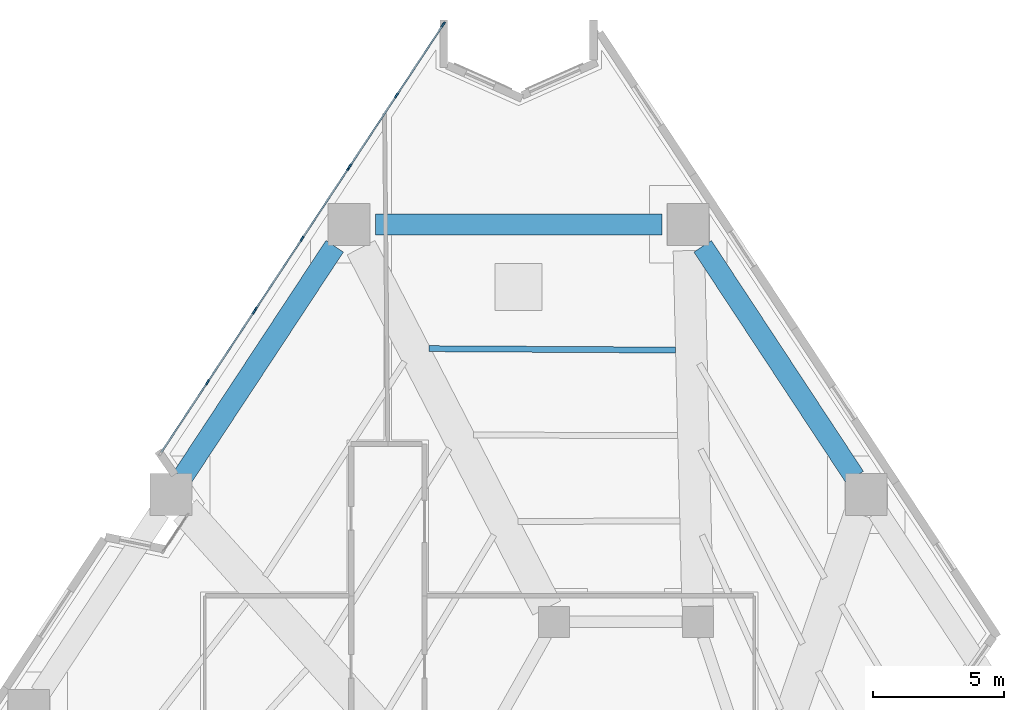
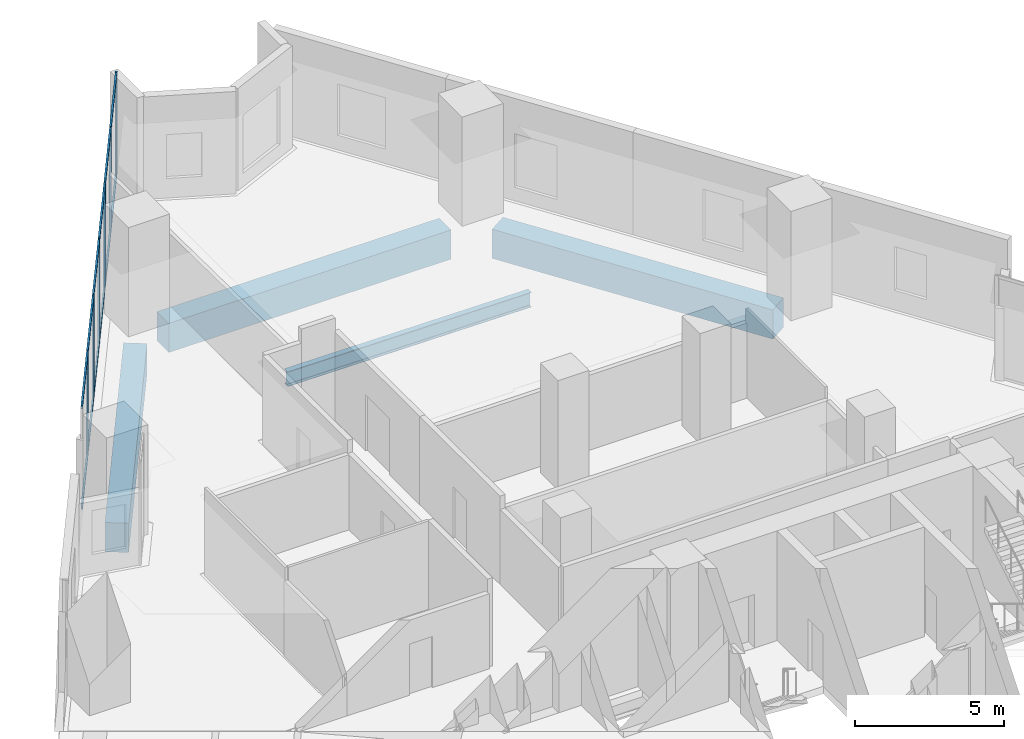
# One storey, part 6 of 15: 20 members, 4 beams, 3 elements without a shape of their own.
"""IFC4 building model written with IfcOpenShell, lengths in metres."""

import ifcopenshell
import ifcopenshell.guid

model = None  # the IFC model being written
_history = None  # IfcOwnerHistory: only IFC2X3 demands one
_inside = {}  # id of a spatial element -> (the spatial element, [elements in it])
_under = {}  # id of a project, library or spatial element -> (it, [spatial elements below it])
_declared = {}  # id of a project -> (the project, [libraries it declares])
_typed = {}  # id of a type object -> (the type object, [elements of that type])
_made_of = {}  # id of a material, layer set ... -> (it, [elements and type objects made of it])


def new_model(schema):
    """Start an empty IFC model of exactly this schema.

    Asked for "IFC4X3", IfcOpenShell would pick the latest addendum, in which some entities
    have other attributes; the version numbers below select the first issue.
    IFC2X3 requires an IfcOwnerHistory on every rooted entity: one is made here for all.
    """
    global model, _history
    if schema == "IFC4X3":
        model = ifcopenshell.file(schema_version=(4, 3, 0, 0))
    else:
        model = ifcopenshell.file(schema=schema)
    _inside.clear()
    _under.clear()
    _declared.clear()
    _typed.clear()
    _made_of.clear()
    _history = None
    if model.schema == "IFC2X3":
        org = make("IfcOrganization", Name="unknown")
        user = make(
            "IfcPersonAndOrganization",
            ThePerson=make("IfcPerson", FamilyName="unknown"),
            TheOrganization=org,
        )
        app = make(
            "IfcApplication",
            ApplicationDeveloper=org,
            Version="unknown",
            ApplicationFullName="unknown",
            ApplicationIdentifier="unknown",
        )
        _history = make(
            "IfcOwnerHistory",
            OwningUser=user,
            OwningApplication=app,
            ChangeAction="ADDED",
            CreationDate=0,
        )
    return model


def make(cls, **values):
    """One entity of the class cls with the attributes given. An attribute that is None is left unset."""
    return model.create_entity(
        cls, **{name: value for name, value in values.items() if value is not None}
    )


def rooted(cls, **values):
    """An entity with a GlobalId (a new one), such as an element, a storey or a relation."""
    return make(cls, GlobalId=ifcopenshell.guid.new(), OwnerHistory=_history, **values)


def si_unit(unit_type, name, prefix=None):
    """IfcSIUnit, for example si_unit("LENGTHUNIT", "METRE", prefix="MILLI")."""
    return make("IfcSIUnit", UnitType=unit_type, Prefix=prefix, Name=name)


def assignment(units):
    """IfcUnitAssignment: the units of a project."""
    return None if units is None else make("IfcUnitAssignment", Units=units)


def point(xyz):
    """IfcCartesianPoint."""
    return None if xyz is None else make("IfcCartesianPoint", Coordinates=xyz)


def direction(xyz):
    """IfcDirection."""
    return None if xyz is None else make("IfcDirection", DirectionRatios=xyz)


def frame(location, z_axis=None, x_axis=None):
    """IfcAxis2Placement3D, a coordinate frame: its origin and axes. An axis left out is left unset."""
    return make(
        "IfcAxis2Placement3D",
        Location=point(location),
        Axis=direction(z_axis),
        RefDirection=direction(x_axis),
    )


def frame_2d(location, x_axis=None):
    """IfcAxis2Placement2D, a coordinate frame in the plane: its origin and x axis."""
    return make(
        "IfcAxis2Placement2D", Location=point(location), RefDirection=direction(x_axis)
    )


def origin():
    """The frame at (0, 0, 0) with its axes left unset."""
    return frame((0.0, 0.0, 0.0))


def origin_2d():
    """The frame at (0, 0) in the plane with its x axis left unset."""
    return frame_2d((0.0, 0.0))


def place(relative_to, where):
    """IfcLocalPlacement: puts the frame where relative to a parent placement (None: the world)."""
    return make(
        "IfcLocalPlacement", PlacementRelTo=relative_to, RelativePlacement=where
    )


def context(
    kind, dimensions, precision=None, world=None, true_north=None, identifier=None
):
    """IfcGeometricRepresentationContext, for example the 3D "Model" context."""
    return make(
        "IfcGeometricRepresentationContext",
        ContextIdentifier=identifier,
        ContextType=kind,
        CoordinateSpaceDimension=dimensions,
        Precision=precision,
        WorldCoordinateSystem=world,
        TrueNorth=true_north,
    )


def subcontext(parent, identifier, kind, view, scale=None):
    """IfcGeometricRepresentationSubContext, for example "Body" below "Model"."""
    return make(
        "IfcGeometricRepresentationSubContext",
        ContextIdentifier=identifier,
        ContextType=kind,
        ParentContext=parent,
        TargetScale=scale,
        TargetView=view,
    )


def project(units=None, contexts=None):
    """IfcProject with its units and contexts."""
    return rooted(
        "IfcProject",
        Name="project",
        RepresentationContexts=contexts,
        UnitsInContext=assignment(units),
    )


def spatial(cls, under=None, at=None, **own):
    """A site, building, storey or space (cls), placed at a placement, below another one or the project."""
    s = rooted(cls, ObjectPlacement=at, **own)
    if under is not None:
        _under.setdefault(under.id(), (under, []))[1].append(s)
    return s


def profile(cls, at=None, kind="AREA", **sizes):
    """A parametric profile (cls). Its sizes go by their IFC names, for example OverallWidth=200.0."""
    return make(cls, ProfileType=kind, Position=at, **sizes)


def rectangle(**sizes):
    """IfcRectangleProfileDef."""
    return profile("IfcRectangleProfileDef", **sizes)


def i_section(**sizes):
    """IfcIShapeProfileDef."""
    return profile("IfcIShapeProfileDef", **sizes)


def extrude(swept, where, along, depth):
    """IfcExtrudedAreaSolid: the profile swept, set in the frame where, extruded along a direction by depth."""
    return make(
        "IfcExtrudedAreaSolid",
        SweptArea=swept,
        Position=where,
        ExtrudedDirection=direction(along),
        Depth=depth,
    )


def shape(context_of_items, identifier, shape_type, items):
    """IfcShapeRepresentation: the items that make up one representation, for example the "Body"."""
    return make(
        "IfcShapeRepresentation",
        ContextOfItems=context_of_items,
        RepresentationIdentifier=identifier,
        RepresentationType=shape_type,
        Items=items,
    )


def material(Name=None, Category=None):
    """IfcMaterial."""
    return make("IfcMaterial", Name=Name, Category=Category)


def layer(
    of_material, thickness, ventilated=None, Name=None, Category=None, Priority=None
):
    """IfcMaterialLayer: one layer of a wall or slab, of a material (None: an air gap)."""
    return make(
        "IfcMaterialLayer",
        Material=of_material,
        LayerThickness=thickness,
        IsVentilated=ventilated,
        Name=Name,
        Category=Category,
        Priority=Priority,
    )


def layer_set(layers, Name=None):
    """IfcMaterialLayerSet."""
    return make("IfcMaterialLayerSet", MaterialLayers=layers, LayerSetName=Name)


def material_profile(
    of_material, cross_section, Name=None, Category=None, Priority=None
):
    """IfcMaterialProfile: a cross section and its material."""
    return make(
        "IfcMaterialProfile",
        Name=Name,
        Material=of_material,
        Profile=cross_section,
        Priority=Priority,
        Category=Category,
    )


def profile_set(profiles, Name=None, composite=None):
    """IfcMaterialProfileSet."""
    return make(
        "IfcMaterialProfileSet",
        Name=Name,
        MaterialProfiles=profiles,
        CompositeProfile=composite,
    )


def made_of(thing, what):
    """Note that an element or type object is made of a material, layer set ...; save() writes the relation."""
    if what is not None:
        _made_of.setdefault(what.id(), (what, []))[1].append(thing)
    return thing


def type_object(cls, material=None, **own):
    """A type object (cls), such as IfcWallType, which elements share."""
    return made_of(rooted(cls, **own), material)


def element(
    cls,
    number,
    at=None,
    inside=None,
    cuts=None,
    type_object=None,
    material=None,
    context=None,
    identifier="Body",
    shape_type=None,
    held_by="IfcProductDefinitionShape",
    body=None,
    shapes=None,
    **own,
):
    """One element of the class cls, such as IfcWall. Its Tag is "e" and its number.

    at: its placement. inside: the storey or other place that contains it. cuts: it is an
    opening in that element (IfcRelVoidsElement). A single representation is given by context,
    identifier, shape_type and body (its items); several are given by shapes. held_by: the class
    of the entity that holds the representations. save() writes the other relations.
    """
    e = rooted(cls, Tag="e%d" % number, ObjectPlacement=at, **own)
    if body is not None:
        shapes = [shape(context, identifier, shape_type, body)]
    if shapes is not None:
        e.Representation = make(held_by, Representations=shapes)
    if inside is not None:
        _inside.setdefault(inside.id(), (inside, []))[1].append(e)
    if cuts is not None:
        rooted(
            "IfcRelVoidsElement", RelatingBuildingElement=cuts, RelatedOpeningElement=e
        )
    if type_object is not None:
        _typed.setdefault(type_object.id(), (type_object, []))[1].append(e)
    return made_of(e, material)


def aggregate(whole, parts):
    """IfcRelAggregates: a whole, such as a stair, and the parts it consists of."""
    return rooted("IfcRelAggregates", RelatingObject=whole, RelatedObjects=parts)


def save(model, path):
    """Write the relations noted so far, then the file.

    IfcRelAggregates (storeys below a building ...), IfcRelContainedInSpatialStructure (elements
    in a storey), IfcRelDefinesByType, IfcRelAssociatesMaterial and IfcRelDeclares: one each for
    every whole, place, type object, material and project.
    """
    for whole, parts in _under.values():
        aggregate(whole, parts)
    for where, things in _inside.values():
        rooted(
            "IfcRelContainedInSpatialStructure",
            RelatedElements=things,
            RelatingStructure=where,
        )
    for kind, things in _typed.values():
        rooted("IfcRelDefinesByType", RelatedObjects=things, RelatingType=kind)
    for what, things in _made_of.values():
        rooted("IfcRelAssociatesMaterial", RelatedObjects=things, RelatingMaterial=what)
    for by, libraries in _declared.values():
        rooted("IfcRelDeclares", RelatingContext=by, RelatedDefinitions=libraries)
    model.write(path)


model = new_model("IFC4")

# Units and contexts
model_context = context("Model", 3, precision=1e-05, world=origin(), true_north=direction((0.0, 1.0)))
body_context = subcontext(model_context, "Body", "Model", "MODEL_VIEW")
ifc_project = project(units=[si_unit("LENGTHUNIT", "METRE"), si_unit("AREAUNIT", "SQUARE_METRE"), si_unit("VOLUMEUNIT", "CUBIC_METRE"), si_unit("PLANEANGLEUNIT", "RADIAN"), si_unit("MASSUNIT", "GRAM", prefix="KILO")], contexts=[model_context])

# Site, building, storey
site_placement = place(None, origin())
site = spatial("IfcSite", under=ifc_project, at=site_placement, CompositionType="ELEMENT")
building_placement = place(site_placement, origin())
building = spatial("IfcBuilding", under=site, at=building_placement, Name="Almagre Mirador Tower", CompositionType="ELEMENT")
storey_placement = place(building_placement, frame((0.0, 0.0, 8.39990234375)))
storey = spatial("IfcBuildingStorey", under=building, at=storey_placement, Name="L01", CompositionType="ELEMENT", Elevation=8.39990234375)

# Beams
ifc_material_1 = material(Name="Steel ASTM A992 Grade 50", Category="steel")
ifc_material_profile_1 = material_profile(ifc_material_1, i_section(OverallWidth=0.22802734375, OverallDepth=0.60791015625, WebThickness=0.01123046875, FlangeThickness=0.017333984375, FilletRadius=0.02001953125, at=origin_2d()), Name="W24X76")
ifc_profile_set_1 = profile_set([ifc_material_profile_1], Name="Steel ASTM A992 Grade 50")
beam_type_1 = type_object("IfcBeamType", Name="BM-JST-W24X76", PredefinedType="JOIST", material=ifc_profile_set_1)
beam_1_placement = place(storey_placement, frame((41.99560546875, 36.5869140625, -0.60400390625), z_axis=(-0.999983479691, 0.005748073134, 0.0), x_axis=(-0.005748073134, -0.999983479691, 0.0)))
element("IfcBeam", 1, at=beam_1_placement, inside=storey, type_object=beam_type_1, Name="L01 secondary floor joist PC08-PC09.1", PredefinedType="JOIST", context=body_context, shape_type="SweptSolid", body=[
    extrude(i_section(OverallWidth=0.22802734375, OverallDepth=0.60791015625, WebThickness=0.01123046875, FlangeThickness=0.017333984375, FilletRadius=0.02001953125, at=origin_2d()), origin(), (0.0, 0.0, 1.0), 9.42919921875),
])
ifc_material_2 = material(Name="Precast concrete C50/60", Category="concrete")
ifc_material_profile_2 = material_profile(ifc_material_2, rectangle(XDim=0.800048828125, YDim=1.199951171875, at=origin_2d()), Name="RC800X1200")
ifc_profile_set_2 = profile_set([ifc_material_profile_2], Name="Precast concrete C50/60")
beam_type_2 = type_object("IfcBeamType", Name="BM-SPN-RC800X1200", PredefinedType="SPANDREL", material=ifc_profile_set_2)
beam_2_placement = place(storey_placement, frame((48.837890625, 31.736083984375, -0.89990234375), z_axis=(-0.550210045995, 0.835026290177, 0.0), x_axis=(-0.835026290177, -0.550210045995, 0.0)))
element("IfcBeam", 2, at=beam_2_placement, inside=storey, type_object=beam_type_2, Name="L01 perimeter spandrel beam PC07-PC08", PredefinedType="SPANDREL", context=body_context, shape_type="SweptSolid", body=[
    extrude(rectangle(XDim=0.800048828125, YDim=1.199951171875, at=origin_2d()), origin(), (0.0, 0.0, 1.0), 10.558837890625),
])
beam_3_placement = place(storey_placement, frame((41.47802734375, 41.387939453125, -0.89990234375), z_axis=(-1.0, 0.0, 0.0), x_axis=(0.0, -1.0, 0.0)))
element("IfcBeam", 3, at=beam_3_placement, inside=storey, type_object=beam_type_2, Name="L01 perimeter spandrel beam PC08-PC09", PredefinedType="SPANDREL", context=body_context, shape_type="SweptSolid", body=[
    extrude(rectangle(XDim=0.800048828125, YDim=1.199951171875, at=origin_2d()), origin(), (0.0, 0.0, 1.0), 10.9560546875),
])
beam_4_placement = place(storey_placement, frame((28.9716796875, 40.552978515625, -0.89990234375), z_axis=(-0.550210045995, -0.835026290177, 0.0), x_axis=(0.835026290177, -0.550210045995, 0.0)))
element("IfcBeam", 4, at=beam_4_placement, inside=storey, type_object=beam_type_2, Name="L01 perimeter spandrel beam PC09-PC10", PredefinedType="SPANDREL", context=body_context, shape_type="SweptSolid", body=[
    extrude(rectangle(XDim=0.800048828125, YDim=1.199951171875, at=origin_2d()), origin(), (0.0, 0.0, 1.0), 10.558837890625),
])

# Curtain wall, members
ifc_material_3 = material(Name="Black anodized aluminium", Category="aluminium")
ifc_layer = layer(ifc_material_3, 0.219970703125)
ifc_layer_set = layer_set([ifc_layer], Name="Black anodized aluminium")
curtain_wall_type = type_object("IfcCurtainWallType", Name="CW-POD-SYS", PredefinedType="NOTDEFINED", material=ifc_layer_set)
curtain_wall_1_placement = place(storey_placement, origin())
curtain_wall_1 = element("IfcCurtainWall", 5, at=curtain_wall_1_placement, inside=storey, type_object=curtain_wall_type, Name="L01 curtain wall run 02", PredefinedType="NOTDEFINED")
ifc_material_4 = material(Name="Black anodized aluminium", Category="aluminium")
ifc_material_profile_3 = material_profile(ifc_material_4, rectangle(XDim=0.070068359375, YDim=0.2099609375, at=origin_2d()), Name="CWM70X210")
ifc_profile_set_3 = profile_set([ifc_material_profile_3], Name="Black anodized aluminium")
member_type_1 = type_object("IfcMemberType", Name="MBR-CWM70X210", PredefinedType="MULLION", material=ifc_profile_set_3)
member_1_placement = place(storey_placement, frame((24.113037109375, 35.359619140625, 0.0), z_axis=(0.0, 0.0, 1.0), x_axis=(-0.835032200727, 0.550201075743, 0.0)))
member_1 = element("IfcMember", 6, at=member_1_placement, type_object=member_type_1, Name="CW-1 mullion 2", PredefinedType="MULLION", context=body_context, shape_type="SweptSolid", body=[
    extrude(rectangle(XDim=0.070068359375, YDim=0.2099609375, at=origin_2d()), origin(), (0.0, 0.0, 1.0), 4.2001953125),
])
member_2_placement = place(storey_placement, frame((25.89892578125, 38.070068359375, 0.0), z_axis=(0.0, 0.0, 1.0), x_axis=(-0.835032200727, 0.550201075743, 0.0)))
member_2 = element("IfcMember", 7, at=member_2_placement, type_object=member_type_1, Name="CW-1 mullion 3", PredefinedType="MULLION", context=body_context, shape_type="SweptSolid", body=[
    extrude(rectangle(XDim=0.070068359375, YDim=0.2099609375, at=origin_2d()), origin(), (0.0, 0.0, 1.0), 4.2001953125),
])

curtain_wall_2_placement = place(storey_placement, origin())
curtain_wall_2 = element("IfcCurtainWall", 8, at=curtain_wall_2_placement, inside=storey, type_object=curtain_wall_type, Name="L01 curtain wall run 03", PredefinedType="NOTDEFINED")
member_3_placement = place(storey_placement, frame((25.9375, 38.12841796875, 0.0), z_axis=(0.0, 0.0, 1.0), x_axis=(-0.835029812478, 0.550204700336, 0.0)))
member_3 = element("IfcMember", 9, at=member_3_placement, type_object=member_type_1, Name="CW-1 mullion 1", PredefinedType="MULLION", context=body_context, shape_type="SweptSolid", body=[
    extrude(rectangle(XDim=0.070068359375, YDim=0.2099609375, at=origin_2d()), origin(), (0.0, 0.0, 1.0), 4.2001953125),
])
member_4_placement = place(storey_placement, frame((27.723388671875, 40.839111328125, 0.0), z_axis=(0.0, 0.0, 1.0), x_axis=(-0.835029812478, 0.550204700336, 0.0)))
member_4 = element("IfcMember", 10, at=member_4_placement, type_object=member_type_1, Name="CW-1 mullion 2", PredefinedType="MULLION", context=body_context, shape_type="SweptSolid", body=[
    extrude(rectangle(XDim=0.070068359375, YDim=0.2099609375, at=origin_2d()), origin(), (0.0, 0.0, 1.0), 4.2001953125),
])
member_5_placement = place(storey_placement, frame((29.509521484375, 43.549560546875, 0.0), z_axis=(0.0, 0.0, 1.0), x_axis=(-0.835029812478, 0.550204700336, 0.0)))
member_5 = element("IfcMember", 11, at=member_5_placement, type_object=member_type_1, Name="CW-1 mullion 3", PredefinedType="MULLION", context=body_context, shape_type="SweptSolid", body=[
    extrude(rectangle(XDim=0.070068359375, YDim=0.2099609375, at=origin_2d()), origin(), (0.0, 0.0, 1.0), 4.2001953125),
])

curtain_wall_3_placement = place(storey_placement, origin())
curtain_wall_3 = element("IfcCurtainWall", 12, at=curtain_wall_3_placement, inside=storey, type_object=curtain_wall_type, Name="L01 curtain wall run 04", PredefinedType="NOTDEFINED")
member_6_placement = place(storey_placement, frame((29.5478515625, 43.60791015625, 0.0), z_axis=(0.0, 0.0, 1.0), x_axis=(-0.835032200727, 0.550201075743, 0.0)))
member_6 = element("IfcMember", 13, at=member_6_placement, type_object=member_type_1, Name="CW-1 mullion 1", PredefinedType="MULLION", context=body_context, shape_type="SweptSolid", body=[
    extrude(rectangle(XDim=0.070068359375, YDim=0.2099609375, at=origin_2d()), origin(), (0.0, 0.0, 1.0), 4.2001953125),
])
member_7_placement = place(storey_placement, frame((31.333740234375, 46.318359375, 0.0), z_axis=(0.0, 0.0, 1.0), x_axis=(-0.835032200727, 0.550201075743, 0.0)))
member_7 = element("IfcMember", 14, at=member_7_placement, type_object=member_type_1, Name="CW-1 mullion 2", PredefinedType="MULLION", context=body_context, shape_type="SweptSolid", body=[
    extrude(rectangle(XDim=0.070068359375, YDim=0.2099609375, at=origin_2d()), origin(), (0.0, 0.0, 1.0), 4.2001953125),
])
member_8_placement = place(storey_placement, frame((33.11962890625, 49.02880859375, 0.0), z_axis=(0.0, 0.0, 1.0), x_axis=(-0.835032200727, 0.550201075743, 0.0)))
member_8 = element("IfcMember", 15, at=member_8_placement, type_object=member_type_1, Name="CW-1 mullion 3", PredefinedType="MULLION", context=body_context, shape_type="SweptSolid", body=[
    extrude(rectangle(XDim=0.070068359375, YDim=0.2099609375, at=origin_2d()), origin(), (0.0, 0.0, 1.0), 4.2001953125),
])

# Member
ifc_material_5 = material(Name="Black anodized aluminium", Category="aluminium")
ifc_material_profile_4 = material_profile(ifc_material_5, rectangle(XDim=0.06494140625, YDim=0.14990234375, at=origin_2d()), Name="CWT65X150")
ifc_profile_set_4 = profile_set([ifc_material_profile_4], Name="Black anodized aluminium")
member_type_2 = type_object("IfcMemberType", Name="MBR-CWT65X150", PredefinedType="USERDEFINED", material=ifc_profile_set_4)
member_9_placement = place(storey_placement, frame((22.346435546875, 32.678466796875, 0.03271484375), z_axis=(0.550257332424, 0.834995130593, 0.0), x_axis=(-0.834995130593, 0.550257332424, 0.0)))
member_9 = element("IfcMember", 16, at=member_9_placement, type_object=member_type_2, Name="CW-1 transom 1.1", ObjectType="TRANSOM", PredefinedType="USERDEFINED", context=body_context, shape_type="SweptSolid", body=[
    extrude(rectangle(XDim=0.06494140625, YDim=0.14990234375, at=origin_2d()), origin(), (0.0, 0.0, 1.0), 3.17578125),
])

member_10_placement = place(storey_placement, frame((22.346435546875, 32.678466796875, 4.16748046875), z_axis=(0.550257332424, 0.834995130593, 0.0), x_axis=(-0.834995130593, 0.550257332424, 0.0)))
member_10 = element("IfcMember", 17, at=member_10_placement, type_object=member_type_2, Name="CW-1 transom 1.2", ObjectType="TRANSOM", PredefinedType="USERDEFINED", context=body_context, shape_type="SweptSolid", body=[
    extrude(rectangle(XDim=0.06494140625, YDim=0.14990234375, at=origin_2d()), origin(), (0.0, 0.0, 1.0), 3.17578125),
])

member_11_placement = place(storey_placement, frame((24.13232421875, 35.388916015625, 0.03271484375), z_axis=(0.550257332424, 0.834995130593, 0.0), x_axis=(-0.834995130593, 0.550257332424, 0.0)))
member_11 = element("IfcMember", 18, at=member_11_placement, type_object=member_type_2, Name="CW-1 transom 2.1", ObjectType="TRANSOM", PredefinedType="USERDEFINED", context=body_context, shape_type="SweptSolid", body=[
    extrude(rectangle(XDim=0.06494140625, YDim=0.14990234375, at=origin_2d()), origin(), (0.0, 0.0, 1.0), 3.17578125),
])

member_12_placement = place(storey_placement, frame((24.13232421875, 35.388916015625, 4.16748046875), z_axis=(0.550257332424, 0.834995130593, 0.0), x_axis=(-0.834995130593, 0.550257332424, 0.0)))
member_12 = element("IfcMember", 19, at=member_12_placement, type_object=member_type_2, Name="CW-1 transom 2.2", ObjectType="TRANSOM", PredefinedType="USERDEFINED", context=body_context, shape_type="SweptSolid", body=[
    extrude(rectangle(XDim=0.06494140625, YDim=0.14990234375, at=origin_2d()), origin(), (0.0, 0.0, 1.0), 3.17578125),
])

aggregate(curtain_wall_1, [member_1, member_2, member_9, member_10, member_11, member_12])

member_13_placement = place(storey_placement, frame((25.956787109375, 38.15771484375, 0.03271484375), z_axis=(0.550222013936, 0.835018404217, 0.0), x_axis=(-0.835018404217, 0.550222013936, 0.0)))
member_13 = element("IfcMember", 20, at=member_13_placement, type_object=member_type_2, Name="CW-1 transom 1.1", ObjectType="TRANSOM", PredefinedType="USERDEFINED", context=body_context, shape_type="SweptSolid", body=[
    extrude(rectangle(XDim=0.06494140625, YDim=0.14990234375, at=origin_2d()), origin(), (0.0, 0.0, 1.0), 3.176025390625),
])

member_14_placement = place(storey_placement, frame((25.956787109375, 38.15771484375, 4.16748046875), z_axis=(0.550222013936, 0.835018404217, 0.0), x_axis=(-0.835018404217, 0.550222013936, 0.0)))
member_14 = element("IfcMember", 21, at=member_14_placement, type_object=member_type_2, Name="CW-1 transom 1.2", ObjectType="TRANSOM", PredefinedType="USERDEFINED", context=body_context, shape_type="SweptSolid", body=[
    extrude(rectangle(XDim=0.06494140625, YDim=0.14990234375, at=origin_2d()), origin(), (0.0, 0.0, 1.0), 3.176025390625),
])

member_15_placement = place(storey_placement, frame((27.74267578125, 40.8681640625, 0.03271484375), z_axis=(0.550222013936, 0.835018404217, 0.0), x_axis=(-0.835018404217, 0.550222013936, 0.0)))
member_15 = element("IfcMember", 22, at=member_15_placement, type_object=member_type_2, Name="CW-1 transom 2.1", ObjectType="TRANSOM", PredefinedType="USERDEFINED", context=body_context, shape_type="SweptSolid", body=[
    extrude(rectangle(XDim=0.06494140625, YDim=0.14990234375, at=origin_2d()), origin(), (0.0, 0.0, 1.0), 3.176025390625),
])

member_16_placement = place(storey_placement, frame((27.74267578125, 40.8681640625, 4.16748046875), z_axis=(0.550222013936, 0.835018404217, 0.0), x_axis=(-0.835018404217, 0.550222013936, 0.0)))
member_16 = element("IfcMember", 23, at=member_16_placement, type_object=member_type_2, Name="CW-1 transom 2.2", ObjectType="TRANSOM", PredefinedType="USERDEFINED", context=body_context, shape_type="SweptSolid", body=[
    extrude(rectangle(XDim=0.06494140625, YDim=0.14990234375, at=origin_2d()), origin(), (0.0, 0.0, 1.0), 3.176025390625),
])

aggregate(curtain_wall_2, [member_3, member_4, member_5, member_13, member_14, member_15, member_16])

member_17_placement = place(storey_placement, frame((29.567138671875, 43.63720703125, 0.03271484375), z_axis=(0.550257332424, 0.834995130593, 0.0), x_axis=(-0.834995130593, 0.550257332424, 0.0)))
member_17 = element("IfcMember", 24, at=member_17_placement, type_object=member_type_2, Name="CW-1 transom 1.1", ObjectType="TRANSOM", PredefinedType="USERDEFINED", context=body_context, shape_type="SweptSolid", body=[
    extrude(rectangle(XDim=0.06494140625, YDim=0.14990234375, at=origin_2d()), origin(), (0.0, 0.0, 1.0), 3.17578125),
])

member_18_placement = place(storey_placement, frame((29.567138671875, 43.63720703125, 4.16748046875), z_axis=(0.550257332424, 0.834995130593, 0.0), x_axis=(-0.834995130593, 0.550257332424, 0.0)))
member_18 = element("IfcMember", 25, at=member_18_placement, type_object=member_type_2, Name="CW-1 transom 1.2", ObjectType="TRANSOM", PredefinedType="USERDEFINED", context=body_context, shape_type="SweptSolid", body=[
    extrude(rectangle(XDim=0.06494140625, YDim=0.14990234375, at=origin_2d()), origin(), (0.0, 0.0, 1.0), 3.17578125),
])

member_19_placement = place(storey_placement, frame((31.35302734375, 46.34765625, 0.03271484375), z_axis=(0.550257332424, 0.834995130593, 0.0), x_axis=(-0.834995130593, 0.550257332424, 0.0)))
member_19 = element("IfcMember", 26, at=member_19_placement, type_object=member_type_2, Name="CW-1 transom 2.1", ObjectType="TRANSOM", PredefinedType="USERDEFINED", context=body_context, shape_type="SweptSolid", body=[
    extrude(rectangle(XDim=0.06494140625, YDim=0.14990234375, at=origin_2d()), origin(), (0.0, 0.0, 1.0), 3.17578125),
])

member_20_placement = place(storey_placement, frame((31.35302734375, 46.34765625, 4.16748046875), z_axis=(0.550257332424, 0.834995130593, 0.0), x_axis=(-0.834995130593, 0.550257332424, 0.0)))
member_20 = element("IfcMember", 27, at=member_20_placement, type_object=member_type_2, Name="CW-1 transom 2.2", ObjectType="TRANSOM", PredefinedType="USERDEFINED", context=body_context, shape_type="SweptSolid", body=[
    extrude(rectangle(XDim=0.06494140625, YDim=0.14990234375, at=origin_2d()), origin(), (0.0, 0.0, 1.0), 3.17578125),
])

aggregate(curtain_wall_3, [member_6, member_7, member_8, member_17, member_18, member_19, member_20])

save(model, "model.ifc")
